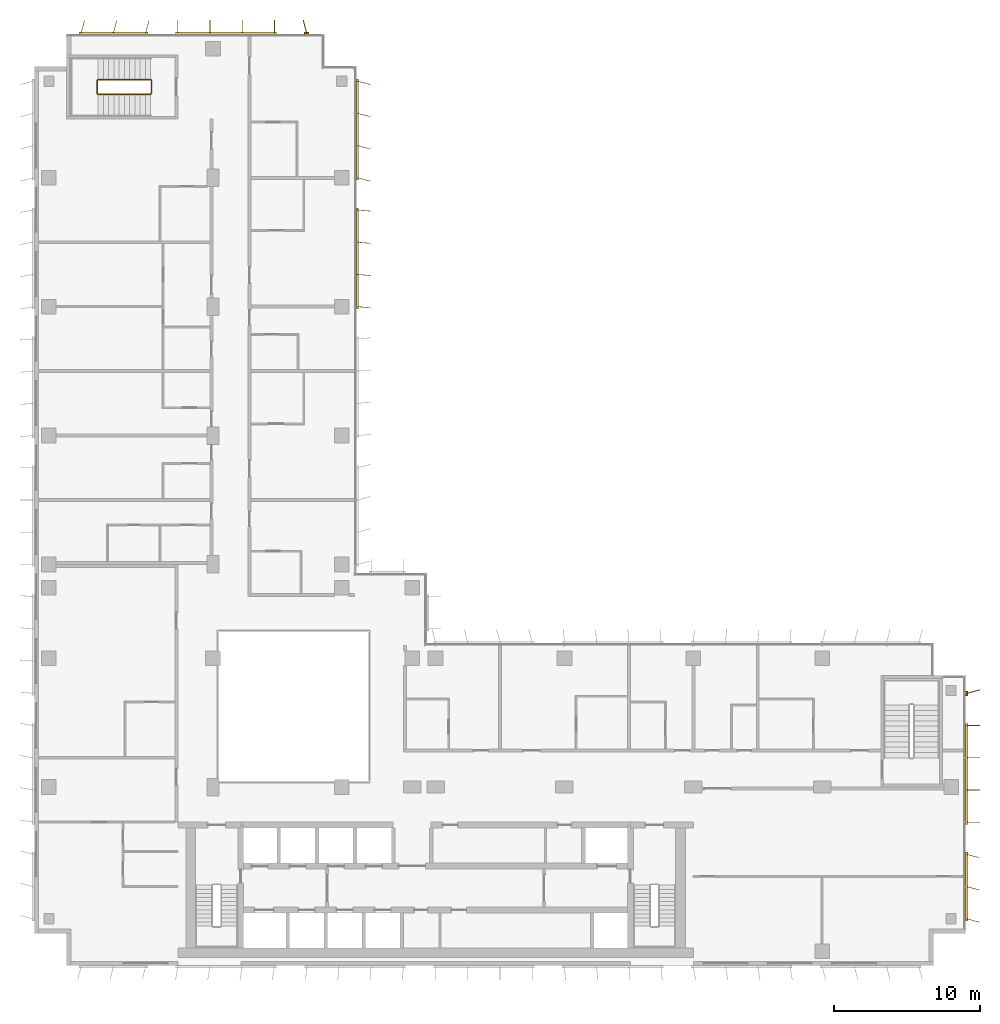
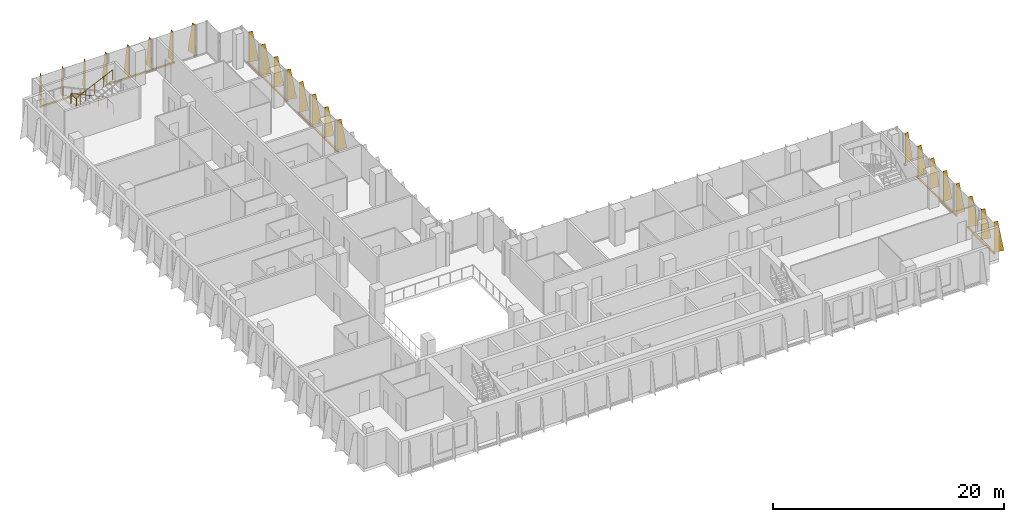
# One storey, part 21 of 21: 8 shading devices, 1 railing.
"""IFC4 building model written with IfcOpenShell, lengths in metres."""

from ifc_helpers import new_model, si_unit, direction, frame, origin, origin_2d, place, context, subcontext, project, spatial, polyline, rectangle, circle, outline, extrude, source, transform, mapped, material, layer, layer_set, type_object, element, save


model = new_model("IFC4")

# Units and contexts
model_context = context("Model", 3, precision=1e-05, world=origin(), true_north=direction((0.0, 1.0)))
body_context = subcontext(model_context, "Body", "Model", "MODEL_VIEW")
ifc_project = project(units=[si_unit("LENGTHUNIT", "METRE"), si_unit("AREAUNIT", "SQUARE_METRE"), si_unit("VOLUMEUNIT", "CUBIC_METRE"), si_unit("PLANEANGLEUNIT", "RADIAN"), si_unit("MASSUNIT", "GRAM", prefix="KILO")], contexts=[model_context])

# Site, building, storey
site_placement = place(None, origin())
site = spatial("IfcSite", under=ifc_project, at=site_placement, CompositionType="ELEMENT")
building_placement = place(site_placement, origin())
building = spatial("IfcBuilding", under=site, at=building_placement, Name="Kemantara Hotel Tower", CompositionType="ELEMENT")
storey_placement = place(building_placement, frame((0.0, 0.0, 179.0)))
storey = spatial("IfcBuildingStorey", under=building, at=storey_placement, Name="L44", CompositionType="ELEMENT", Elevation=179.0)

# Railing
ifc_material_1 = material(Name="Stainless steel balustrade", Category="steel")
railing_type = type_object("IfcRailingType", Name="Stair guard 1100 mm", PredefinedType="GUARDRAIL", material=ifc_material_1)
railing_placement = place(storey_placement, frame((7.949951171875, 59.5, 3.699951171875)))
element("IfcRailing", 1, at=railing_placement, inside=storey, type_object=railing_type, Name="L44 ST4 stair guard 1", PredefinedType="GUARDRAIL", context=body_context, shape_type="SweptSolid", body=[
    extrude(circle(Radius=0.02392578125, at=origin_2d()), frame((0.0, 0.0, 1.076171875), z_axis=(-0.905994681025, 0.0, -0.423289071386), x_axis=(0.0, -1.0, 0.0)), (0.0, 0.0, 1.0), 3.973388671875),
    extrude(circle(Radius=0.02392578125, at=origin_2d()), frame((-3.599853515625, 0.0, -0.60595703125), z_axis=(-0.274582412415, 0.274582412415, -0.921525364591), x_axis=(-0.707106781187, -0.707106781187, 0.0)), (0.0, 0.0, 1.0), 0.182373046875),
    extrude(circle(Radius=0.02392578125, at=origin_2d()), frame((-3.64990234375, 0.050048828125, -0.77392578125), z_axis=(0.0, 1.0, 0.0), x_axis=(-1.0, 0.0, 0.0)), (0.0, 0.0, 1.0), 0.89990234375),
    extrude(circle(Radius=0.02392578125, at=origin_2d()), frame((-3.64990234375, 0.949951171875, -0.77392578125), z_axis=(0.707106781187, 0.707106781187, 0.0), x_axis=(-0.707106781187, 0.707106781187, 0.0)), (0.0, 0.0, 1.0), 0.07080078125),
    extrude(circle(Radius=0.02392578125, at=origin_2d()), frame((-3.599853515625, 1.0, -0.77392578125), z_axis=(0.905994681025, 0.0, -0.423289071386), x_axis=(0.0, 1.0, 0.0)), (0.0, 0.0, 1.0), 3.973388671875),
    extrude(circle(Radius=0.02392578125, at=origin_2d()), frame((0.0, 1.0, -2.45556640625), z_axis=(0.274243871929, -0.274243871929, -0.92172696468), x_axis=(0.707106781187, 0.707106781187, 0.0)), (0.0, 0.0, 1.0), 0.1826171875),
    extrude(circle(Radius=0.02392578125, at=origin_2d()), frame((0.050048828125, 0.949951171875, -2.6240234375), z_axis=(0.0, -1.0, 0.0), x_axis=(1.0, 0.0, 0.0)), (0.0, 0.0, 1.0), 0.89990234375),
    extrude(circle(Radius=0.02099609375, at=origin_2d()), origin(), (0.0, 0.0, 1.0), 1.052001953125),
    extrude(circle(Radius=0.02099609375, at=origin_2d()), frame((-0.89990234375, 0.0, -0.42041015625)), (0.0, 0.0, 1.0), 1.052001953125),
    extrude(circle(Radius=0.02099609375, at=origin_2d()), frame((-1.7998046875, 0.0, -0.8408203125)), (0.0, 0.0, 1.0), 1.052001953125),
    extrude(circle(Radius=0.02099609375, at=origin_2d()), frame((-2.699951171875, 0.0, -1.261474609375)), (0.0, 0.0, 1.0), 1.052001953125),
    extrude(circle(Radius=0.02099609375, at=origin_2d()), frame((-3.599853515625, 0.0, -1.681884765625)), (0.0, 0.0, 1.0), 1.052001953125),
    extrude(circle(Radius=0.02099609375, at=origin_2d()), frame((-3.64990234375, 0.050048828125, -1.849853515625)), (0.0, 0.0, 1.0), 1.052001953125),
    extrude(circle(Radius=0.02099609375, at=origin_2d()), frame((-3.64990234375, 0.949951171875, -1.849853515625)), (0.0, 0.0, 1.0), 1.052001953125),
    extrude(circle(Radius=0.02099609375, at=origin_2d()), frame((-3.599853515625, 1.0, -1.849853515625)), (0.0, 0.0, 1.0), 1.052001953125),
    extrude(circle(Radius=0.02099609375, at=origin_2d()), frame((-2.699951171875, 1.0, -2.270263671875)), (0.0, 0.0, 1.0), 1.052001953125),
    extrude(circle(Radius=0.02099609375, at=origin_2d()), frame((-1.7998046875, 1.0, -2.69091796875)), (0.0, 0.0, 1.0), 1.052001953125),
    extrude(circle(Radius=0.02099609375, at=origin_2d()), frame((-0.89990234375, 1.0, -3.111328125)), (0.0, 0.0, 1.0), 1.052001953125),
    extrude(circle(Radius=0.02099609375, at=origin_2d()), frame((0.0, 1.0, -3.53173828125)), (0.0, 0.0, 1.0), 1.052001953125),
    extrude(circle(Radius=0.02099609375, at=origin_2d()), frame((0.050048828125, 0.949951171875, -3.699951171875)), (0.0, 0.0, 1.0), 1.052001953125),
    extrude(circle(Radius=0.02099609375, at=origin_2d()), frame((0.050048828125, 0.050048828125, -3.699951171875)), (0.0, 0.0, 1.0), 1.052001953125),
])

# Shading devices
ifc_material_2 = material(Name="Perforated aluminium plate 4 mm bronze anodised", Category="aluminium")
ifc_layer_1 = layer(ifc_material_2, 0.0400390625)
ifc_layer_set_1 = layer_set([ifc_layer_1], Name="Perforated aluminium plate 4 mm bronze anodised")
shading_device_type_1 = type_object("IfcShadingDeviceType", Name="SCREEN FIN CASSETTE, 3 BLADES AT -15.0 DEG, 3200 HIGH", PredefinedType="USERDEFINED", material=ifc_layer_set_1)
shared_shape_1 = source(origin(), body_context, "Body", "SweptSolid", [
    extrude(rectangle(XDim=4.699951171875, YDim=0.14990234375, at=origin_2d()), frame((2.199951171875, -0.074951171875, -0.14990234375), z_axis=(0.0, 0.0, 1.0), x_axis=(1.0, 0.0, 0.0)), (0.0, 0.0, 1.0), 0.14990234375),
    extrude(outline(polyline([(0.0, 0.0), (0.89990234375, 0.0), (0.35009765625, 3.199951171875), (0.0, 3.199951171875), (0.0, 0.0)])), frame((0.019287109375, -0.080078125, 0.0), z_axis=(-0.966437683387, 0.256901156343, 0.0), x_axis=(-0.256901156343, -0.966437683387, 0.0)), (0.0, 0.0, 1.0), 0.039794921875),
    extrude(outline(polyline([(0.0, 0.0), (0.89990234375, 0.0), (0.35009765625, 3.199951171875), (0.0, 3.199951171875), (0.0, 0.0)])), frame((2.21923828125, -0.080078125, 0.0), z_axis=(-0.966437683387, 0.256901156343, 0.0), x_axis=(-0.256901156343, -0.966437683387, 0.0)), (0.0, 0.0, 1.0), 0.039794921875),
    extrude(outline(polyline([(0.0, 0.0), (0.89990234375, 0.0), (0.35009765625, 3.199951171875), (0.0, 3.199951171875), (0.0, 0.0)])), frame((4.41943359375, -0.080078125, 0.0), z_axis=(-0.966837822169, 0.255391122837, 0.0), x_axis=(-0.255391122837, -0.966837822169, 0.0)), (0.0, 0.0, 1.0), 0.0400390625),
])
for number, where, z_axis, x_axis, name in (
    (2, (7.60009765625, 63.60009765625, 0.10009765625), (0.0, 0.0, 1.0), (-1.0, 0.0, 0.0), "SCREEN FIN CASSETTE L44 T3-R02-3"),
    (3, (63.60009765625, 3.199951171875, 0.10009765625), (0.0, 0.0, 1.0), (0.0, 1.0, 0.0), "SCREEN FIN CASSETTE L44 T3-R11-1"),
):
    element("IfcShadingDevice", number, at=place(storey_placement, frame(where, z_axis=z_axis, x_axis=x_axis)), inside=storey, type_object=shading_device_type_1, Name=name, ObjectType="SCREEN FIN", PredefinedType="USERDEFINED", context=body_context, shape_type="MappedRepresentation", body=[
        mapped(shared_shape_1, transform((0.0, 0.0, 0.0))),
    ])
ifc_layer_2 = layer(ifc_material_2, 0.0400390625)
ifc_layer_set_2 = layer_set([ifc_layer_2], Name="Perforated aluminium plate 4 mm bronze anodised")
shading_device_type_2 = type_object("IfcShadingDeviceType", Name="SCREEN FIN CASSETTE, 4 BLADES AT -5.0 DEG, 3200 HIGH", PredefinedType="USERDEFINED", material=ifc_layer_set_2)
shared_shape_2 = source(origin(), body_context, "Body", "SweptSolid", [
    extrude(rectangle(XDim=6.89990234375, YDim=0.14990234375, at=origin_2d()), frame((3.300048828125, -0.074951171875, -0.14990234375), z_axis=(0.0, 0.0, 1.0), x_axis=(1.0, 0.0, 0.0)), (0.0, 0.0, 1.0), 0.14990234375),
    extrude(outline(polyline([(0.0, 0.0), (0.89990234375, 0.0), (0.35009765625, 3.199951171875), (0.0, 3.199951171875), (0.0, 0.0)])), frame((0.02001953125, -0.07666015625, 0.0), z_axis=(-0.996376129781, 0.085056498884, 0.0), x_axis=(-0.085056498884, -0.996376129781, 0.0)), (0.0, 0.0, 1.0), 0.040283203125),
    extrude(outline(polyline([(0.0, 0.0), (0.89990234375, 0.0), (0.35009765625, 3.199951171875), (0.0, 3.199951171875), (0.0, 0.0)])), frame((2.219970703125, -0.07666015625, 0.0), z_axis=(-0.996331773833, 0.085574508182, 0.0), x_axis=(-0.085574508182, -0.996331773833, 0.0)), (0.0, 0.0, 1.0), 0.0400390625),
    extrude(outline(polyline([(0.0, 0.0), (0.89990234375, 0.0), (0.35009765625, 3.199951171875), (0.0, 3.199951171875), (0.0, 0.0)])), frame((4.419921875, -0.07666015625, 0.0), z_axis=(-0.996331773833, 0.085574508182, 0.0), x_axis=(-0.085574508182, -0.996331773833, 0.0)), (0.0, 0.0, 1.0), 0.0400390625),
    extrude(outline(polyline([(0.0, 0.0), (0.89990234375, 0.0), (0.35009765625, 3.199951171875), (0.0, 3.199951171875), (0.0, 0.0)])), frame((6.619873046875, -0.07666015625, 0.0), z_axis=(-0.996331773833, 0.085574508182, 0.0), x_axis=(-0.085574508182, -0.996331773833, 0.0)), (0.0, 0.0, 1.0), 0.0400390625),
])
shading_device_1_placement = place(storey_placement, frame((22.0, 45.0, 0.10009765625), z_axis=(0.0, 0.0, 1.0), x_axis=(0.0, 1.0, 0.0)))
element("IfcShadingDevice", 4, at=shading_device_1_placement, inside=storey, type_object=shading_device_type_2, Name="SCREEN FIN CASSETTE L44 T3-R17-3", ObjectType="SCREEN FIN", PredefinedType="USERDEFINED", context=body_context, shape_type="MappedRepresentation", body=[
    mapped(shared_shape_2, transform((0.0, 0.0, 0.0))),
])
ifc_layer_3 = layer(ifc_material_2, 0.0400390625)
ifc_layer_set_3 = layer_set([ifc_layer_3], Name="Perforated aluminium plate 4 mm bronze anodised")
shading_device_type_3 = type_object("IfcShadingDeviceType", Name="SCREEN FIN CASSETTE, 4 BLADES AT +0.0 DEG, 3200 HIGH", PredefinedType="USERDEFINED", material=ifc_layer_set_3)
shared_shape_3 = source(origin(), body_context, "Body", "SweptSolid", [
    extrude(rectangle(XDim=6.89990234375, YDim=0.14990234375, at=origin_2d()), frame((3.300048828125, -0.074951171875, -0.14990234375), z_axis=(0.0, 0.0, 1.0), x_axis=(1.0, 0.0, 0.0)), (0.0, 0.0, 1.0), 0.14990234375),
    extrude(outline(polyline([(0.0, 0.0), (0.89990234375, 0.0), (0.35009765625, 3.199951171875), (0.0, 3.199951171875), (0.0, 0.0)])), frame((0.02001953125, -0.074951171875, 0.0), z_axis=(-1.0, 0.0, 0.0), x_axis=(0.0, -1.0, 0.0)), (0.0, 0.0, 1.0), 0.0400390625),
    extrude(outline(polyline([(0.0, 0.0), (0.89990234375, 0.0), (0.35009765625, 3.199951171875), (0.0, 3.199951171875), (0.0, 0.0)])), frame((2.219970703125, -0.074951171875, 0.0), z_axis=(-1.0, 0.0, 0.0), x_axis=(0.0, -1.0, 0.0)), (0.0, 0.0, 1.0), 0.0400390625),
    extrude(outline(polyline([(0.0, 0.0), (0.89990234375, 0.0), (0.35009765625, 3.199951171875), (0.0, 3.199951171875), (0.0, 0.0)])), frame((4.419921875, -0.074951171875, 0.0), z_axis=(-1.0, 0.0, 0.0), x_axis=(0.0, -1.0, 0.0)), (0.0, 0.0, 1.0), 0.0400390625),
    extrude(outline(polyline([(0.0, 0.0), (0.89990234375, 0.0), (0.35009765625, 3.199951171875), (0.0, 3.199951171875), (0.0, 0.0)])), frame((6.6201171875, -0.074951171875, 0.0), z_axis=(-1.0, 0.0, 0.0), x_axis=(0.0, -1.0, 0.0)), (0.0, 0.0, 1.0), 0.0400390625),
])
for number, where, z_axis, x_axis, name in (
    (5, (16.39990234375, 63.60009765625, 0.10009765625), (0.0, 0.0, 1.0), (-1.0, 0.0, 0.0), "SCREEN FIN CASSETTE L44 T3-R02-2"),
    (6, (63.60009765625, 9.800048828125, 0.10009765625), (0.0, 0.0, 1.0), (0.0, 1.0, 0.0), "SCREEN FIN CASSETTE L44 T3-R11-2"),
):
    element("IfcShadingDevice", number, at=place(storey_placement, frame(where, z_axis=z_axis, x_axis=x_axis)), inside=storey, type_object=shading_device_type_3, Name=name, ObjectType="SCREEN FIN", PredefinedType="USERDEFINED", context=body_context, shape_type="MappedRepresentation", body=[
        mapped(shared_shape_3, transform((0.0, 0.0, 0.0))),
    ])
ifc_layer_4 = layer(ifc_material_2, 0.0400390625)
ifc_layer_set_4 = layer_set([ifc_layer_4], Name="Perforated aluminium plate 4 mm bronze anodised")
shading_device_type_4 = type_object("IfcShadingDeviceType", Name="SCREEN FIN CASSETTE, 4 BLADES AT -15.0 DEG, 3200 HIGH", PredefinedType="USERDEFINED", material=ifc_layer_set_4)
shared_shape_4 = source(origin(), body_context, "Body", "SweptSolid", [
    extrude(rectangle(XDim=6.89990234375, YDim=0.14990234375, at=origin_2d()), frame((3.300048828125, -0.074951171875, -0.14990234375), z_axis=(0.0, 0.0, 1.0), x_axis=(1.0, 0.0, 0.0)), (0.0, 0.0, 1.0), 0.14990234375),
    extrude(outline(polyline([(0.0, 0.0), (0.89990234375, 0.0), (0.35009765625, 3.199951171875), (0.0, 3.199951171875), (0.0, 0.0)])), frame((0.019287109375, -0.080078125, 0.0), z_axis=(-0.966437683387, 0.256901156343, 0.0), x_axis=(-0.256901156343, -0.966437683387, 0.0)), (0.0, 0.0, 1.0), 0.039794921875),
    extrude(outline(polyline([(0.0, 0.0), (0.89990234375, 0.0), (0.35009765625, 3.199951171875), (0.0, 3.199951171875), (0.0, 0.0)])), frame((2.21923828125, -0.080078125, 0.0), z_axis=(-0.966437683387, 0.256901156343, 0.0), x_axis=(-0.256901156343, -0.966437683387, 0.0)), (0.0, 0.0, 1.0), 0.039794921875),
    extrude(outline(polyline([(0.0, 0.0), (0.89990234375, 0.0), (0.35009765625, 3.199951171875), (0.0, 3.199951171875), (0.0, 0.0)])), frame((4.41943359375, -0.080078125, 0.0), z_axis=(-0.966837822169, 0.255391122837, 0.0), x_axis=(-0.255391122837, -0.966837822169, 0.0)), (0.0, 0.0, 1.0), 0.0400390625),
    extrude(outline(polyline([(0.0, 0.0), (0.89990234375, 0.0), (0.35009765625, 3.199951171875), (0.0, 3.199951171875), (0.0, 0.0)])), frame((6.619384765625, -0.080078125, 0.0), z_axis=(-0.966837822169, 0.255391122837, 0.0), x_axis=(-0.255391122837, -0.966837822169, 0.0)), (0.0, 0.0, 1.0), 0.0400390625),
])
shading_device_2_placement = place(storey_placement, frame((22.0, 53.800048828125, 0.10009765625), z_axis=(0.0, 0.0, 1.0), x_axis=(0.0, 1.0, 0.0)))
element("IfcShadingDevice", 7, at=shading_device_2_placement, inside=storey, type_object=shading_device_type_4, Name="SCREEN FIN CASSETTE L44 T3-R17-4", ObjectType="SCREEN FIN", PredefinedType="USERDEFINED", context=body_context, shape_type="MappedRepresentation", body=[
    mapped(shared_shape_4, transform((0.0, 0.0, 0.0))),
])
ifc_layer_5 = layer(ifc_material_2, 0.0400390625)
ifc_layer_set_5 = layer_set([ifc_layer_5], Name="Perforated aluminium plate 4 mm bronze anodised")
shading_device_type_5 = type_object("IfcShadingDeviceType", Name="SCREEN FIN CASSETTE, 1 BLADE AT +15.0 DEG, 3200 HIGH", PredefinedType="USERDEFINED", material=ifc_layer_set_5)
shared_shape_5 = source(origin(), body_context, "Body", "SweptSolid", [
    extrude(rectangle(XDim=0.300048828125, YDim=0.14990234375, at=origin_2d()), frame((0.0, -0.074951171875, -0.14990234375), z_axis=(0.0, 0.0, 1.0), x_axis=(1.0, 0.0, 0.0)), (0.0, 0.0, 1.0), 0.14990234375),
    extrude(outline(polyline([(0.0, 0.0), (0.89990234375, 0.0), (0.35009765625, 3.199951171875), (0.0, 3.199951171875), (0.0, 0.0)])), frame((0.019287109375, -0.06982421875, 0.0), z_axis=(-0.966437683387, -0.256901156343, 0.0), x_axis=(0.256901156343, -0.966437683387, 0.0)), (0.0, 0.0, 1.0), 0.039794921875),
])
for number, where, z_axis, x_axis, name in (
    (8, (18.60009765625, 63.60009765625, 0.10009765625), (0.0, 0.0, 1.0), (-1.0, 0.0, 0.0), "SCREEN FIN CASSETTE L44 T3-R02-1"),
    (9, (63.60009765625, 18.60009765625, 0.10009765625), (0.0, 0.0, 1.0), (0.0, 1.0, 0.0), "SCREEN FIN CASSETTE L44 T3-R11-3"),
):
    element("IfcShadingDevice", number, at=place(storey_placement, frame(where, z_axis=z_axis, x_axis=x_axis)), inside=storey, type_object=shading_device_type_5, Name=name, ObjectType="SCREEN FIN", PredefinedType="USERDEFINED", context=body_context, shape_type="MappedRepresentation", body=[
        mapped(shared_shape_5, transform((0.0, 0.0, 0.0))),
    ])

save(model, "model.ifc")
